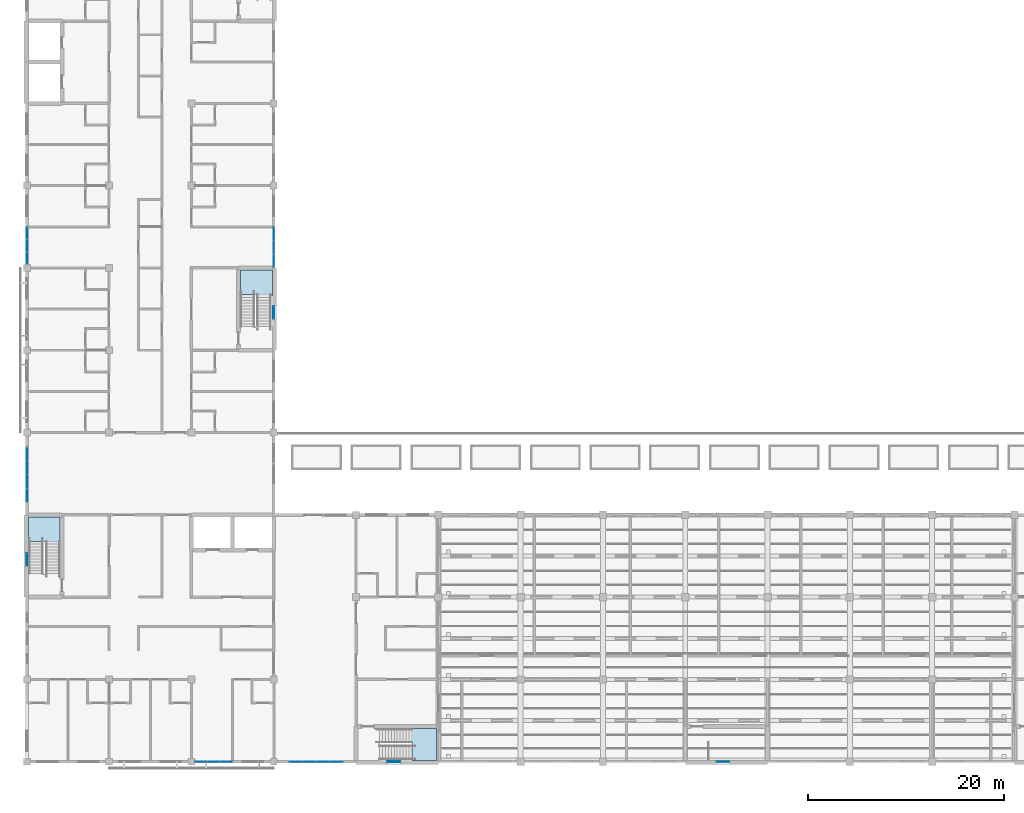
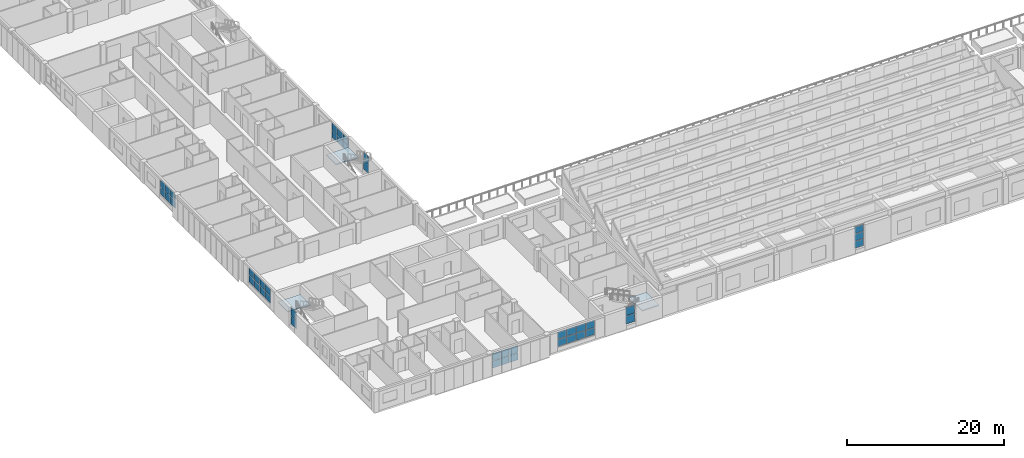
# One storey, part 22 of 61: 43 plates, 3 slabs, 12 elements without a shape of their own.
"""IFC4 building model written with IfcOpenShell, lengths in metres."""

from ifc_helpers import new_model, si_unit, direction, frame, origin, origin_2d, place, context, subcontext, project, spatial, polyline, rectangle, outline, extrude, material, layer, layer_set, type_object, element, aggregate, save


model = new_model("IFC4")

# Units and contexts
model_context = context("Model", 3, precision=1e-05, world=origin(), true_north=direction((0.0, 1.0)))
body_context = subcontext(model_context, "Body", "Model", "MODEL_VIEW")
ifc_project = project(units=[si_unit("LENGTHUNIT", "METRE"), si_unit("AREAUNIT", "SQUARE_METRE"), si_unit("VOLUMEUNIT", "CUBIC_METRE"), si_unit("PLANEANGLEUNIT", "RADIAN"), si_unit("MASSUNIT", "GRAM", prefix="KILO")], contexts=[model_context])

# Site, building, storey
site_placement = place(None, origin())
site = spatial("IfcSite", under=ifc_project, at=site_placement, CompositionType="ELEMENT")
building_placement = place(site_placement, origin())
building = spatial("IfcBuilding", under=site, at=building_placement, Name="Yavir Park General Hospital", CompositionType="ELEMENT")
storey_placement = place(building_placement, frame((0.0, 0.0, 15.300048828125)))
storey = spatial("IfcBuildingStorey", under=building, at=storey_placement, Name="L03", CompositionType="ELEMENT", Elevation=15.300048828125)

# Curtain wall, plates
ifc_material_1 = material(Name="Aluminium curtain wall frame with insulated glazing", Category="aluminium")
curtain_wall_type_1 = type_object("IfcCurtainWallType", Name="Day room pocket glazing, ward floors, 2360 high, 1400 module", PredefinedType="NOTDEFINED", material=ifc_material_1)
curtain_wall_1_placement = place(storey_placement, origin())
curtain_wall_1 = element("IfcCurtainWall", 1, at=curtain_wall_1_placement, inside=storey, type_object=curtain_wall_type_1, Name="CW6 L03-001", PredefinedType="NOTDEFINED")
ifc_material_2 = material(Name="Insulated glazed unit 30 mm, low-e coating")
ifc_layer_1 = layer(ifc_material_2, 0.030029296875)
ifc_layer_set_1 = layer_set([ifc_layer_1], Name="Insulated glazed unit 30 mm, low-e coating")
plate_type_1 = type_object("IfcPlateType", Name="Day room pocket glazing, ward floors, 2360 high panel 30", PredefinedType="CURTAIN_PANEL", material=ifc_layer_set_1)
plate_1_placement = place(storey_placement, frame((17.806640625, 0.0, 0.65966796875), z_axis=(0.0, 0.0, 1.0), x_axis=(1.0, 0.0, 0.0)))
plate_1 = element("IfcPlate", 2, at=plate_1_placement, type_object=plate_type_1, Name="CW6 panel 1.1", PredefinedType="CURTAIN_PANEL", context=body_context, shape_type="SweptSolid", body=[
    extrude(rectangle(XDim=1.193359375, YDim=0.030029296875, at=origin_2d()), origin(), (0.0, 0.0, 1.0), 1.090087890625),
])
plate_2_placement = place(storey_placement, frame((17.806640625, 0.0, 1.81005859375), z_axis=(0.0, 0.0, 1.0), x_axis=(1.0, 0.0, 0.0)))
plate_2 = element("IfcPlate", 3, at=plate_2_placement, type_object=plate_type_1, Name="CW6 panel 1.2", PredefinedType="CURTAIN_PANEL", context=body_context, shape_type="SweptSolid", body=[
    extrude(rectangle(XDim=1.193359375, YDim=0.030029296875, at=origin_2d()), origin(), (0.0, 0.0, 1.0), 1.090087890625),
])
plate_3_placement = place(storey_placement, frame((19.074951171875, 0.0, 0.65966796875), z_axis=(0.0, 0.0, 1.0), x_axis=(1.0, 0.0, 0.0)))
plate_3 = element("IfcPlate", 4, at=plate_3_placement, type_object=plate_type_1, Name="CW6 panel 2.1", PredefinedType="CURTAIN_PANEL", context=body_context, shape_type="SweptSolid", body=[
    extrude(rectangle(XDim=1.223388671875, YDim=0.030029296875, at=origin_2d()), origin(), (0.0, 0.0, 1.0), 1.090087890625),
])
plate_4_placement = place(storey_placement, frame((19.074951171875, 0.0, 1.81005859375), z_axis=(0.0, 0.0, 1.0), x_axis=(1.0, 0.0, 0.0)))
plate_4 = element("IfcPlate", 5, at=plate_4_placement, type_object=plate_type_1, Name="CW6 panel 2.2", PredefinedType="CURTAIN_PANEL", context=body_context, shape_type="SweptSolid", body=[
    extrude(rectangle(XDim=1.223388671875, YDim=0.030029296875, at=origin_2d()), origin(), (0.0, 0.0, 1.0), 1.090087890625),
])
plate_5_placement = place(storey_placement, frame((20.34326171875, 0.0, 0.65966796875), z_axis=(0.0, 0.0, 1.0), x_axis=(1.0, 0.0, 0.0)))
plate_5 = element("IfcPlate", 6, at=plate_5_placement, type_object=plate_type_1, Name="CW6 panel 3.1", PredefinedType="CURTAIN_PANEL", context=body_context, shape_type="SweptSolid", body=[
    extrude(rectangle(XDim=1.193359375, YDim=0.030029296875, at=origin_2d()), origin(), (0.0, 0.0, 1.0), 1.090087890625),
])
plate_6_placement = place(storey_placement, frame((20.34326171875, 0.0, 1.81005859375), z_axis=(0.0, 0.0, 1.0), x_axis=(1.0, 0.0, 0.0)))
plate_6 = element("IfcPlate", 7, at=plate_6_placement, type_object=plate_type_1, Name="CW6 panel 3.2", PredefinedType="CURTAIN_PANEL", context=body_context, shape_type="SweptSolid", body=[
    extrude(rectangle(XDim=1.193359375, YDim=0.030029296875, at=origin_2d()), origin(), (0.0, 0.0, 1.0), 1.090087890625),
])
aggregate(curtain_wall_1, [plate_1, plate_2, plate_3, plate_4, plate_5, plate_6])

curtain_wall_2_placement = place(storey_placement, origin())
curtain_wall_2 = element("IfcCurtainWall", 8, at=curtain_wall_2_placement, inside=storey, type_object=curtain_wall_type_1, Name="CW6 L03-002", PredefinedType="NOTDEFINED")
plate_7_placement = place(storey_placement, frame((27.4150390625, 0.0, 0.65966796875), z_axis=(0.0, 0.0, 1.0), x_axis=(1.0, 0.0, 0.0)))
plate_7 = element("IfcPlate", 9, at=plate_7_placement, type_object=plate_type_1, Name="CW6 panel 1.1", PredefinedType="CURTAIN_PANEL", context=body_context, shape_type="SweptSolid", body=[
    extrude(rectangle(XDim=1.31005859375, YDim=0.030029296875, at=origin_2d()), origin(), (0.0, 0.0, 1.0), 1.090087890625),
])
plate_8_placement = place(storey_placement, frame((27.4150390625, 0.0, 1.81005859375), z_axis=(0.0, 0.0, 1.0), x_axis=(1.0, 0.0, 0.0)))
plate_8 = element("IfcPlate", 10, at=plate_8_placement, type_object=plate_type_1, Name="CW6 panel 1.2", PredefinedType="CURTAIN_PANEL", context=body_context, shape_type="SweptSolid", body=[
    extrude(rectangle(XDim=1.31005859375, YDim=0.030029296875, at=origin_2d()), origin(), (0.0, 0.0, 1.0), 1.090087890625),
])
plate_9_placement = place(storey_placement, frame((28.800048828125, 0.0, 0.65966796875), z_axis=(0.0, 0.0, 1.0), x_axis=(1.0, 0.0, 0.0)))
plate_9 = element("IfcPlate", 11, at=plate_9_placement, type_object=plate_type_1, Name="CW6 panel 2.1", PredefinedType="CURTAIN_PANEL", context=body_context, shape_type="SweptSolid", body=[
    extrude(rectangle(XDim=1.340087890625, YDim=0.030029296875, at=origin_2d()), origin(), (0.0, 0.0, 1.0), 1.090087890625),
])
plate_10_placement = place(storey_placement, frame((28.800048828125, 0.0, 1.81005859375), z_axis=(0.0, 0.0, 1.0), x_axis=(1.0, 0.0, 0.0)))
plate_10 = element("IfcPlate", 12, at=plate_10_placement, type_object=plate_type_1, Name="CW6 panel 2.2", PredefinedType="CURTAIN_PANEL", context=body_context, shape_type="SweptSolid", body=[
    extrude(rectangle(XDim=1.340087890625, YDim=0.030029296875, at=origin_2d()), origin(), (0.0, 0.0, 1.0), 1.090087890625),
])
plate_11_placement = place(storey_placement, frame((30.199951171875, 0.0, 0.65966796875), z_axis=(0.0, 0.0, 1.0), x_axis=(1.0, 0.0, 0.0)))
plate_11 = element("IfcPlate", 13, at=plate_11_placement, type_object=plate_type_1, Name="CW6 panel 3.1", PredefinedType="CURTAIN_PANEL", context=body_context, shape_type="SweptSolid", body=[
    extrude(rectangle(XDim=1.340087890625, YDim=0.030029296875, at=origin_2d()), origin(), (0.0, 0.0, 1.0), 1.090087890625),
])
plate_12_placement = place(storey_placement, frame((30.199951171875, 0.0, 1.81005859375), z_axis=(0.0, 0.0, 1.0), x_axis=(1.0, 0.0, 0.0)))
plate_12 = element("IfcPlate", 14, at=plate_12_placement, type_object=plate_type_1, Name="CW6 panel 3.2", PredefinedType="CURTAIN_PANEL", context=body_context, shape_type="SweptSolid", body=[
    extrude(rectangle(XDim=1.340087890625, YDim=0.030029296875, at=origin_2d()), origin(), (0.0, 0.0, 1.0), 1.090087890625),
])
plate_13_placement = place(storey_placement, frame((31.5849609375, 0.0, 0.65966796875), z_axis=(0.0, 0.0, 1.0), x_axis=(1.0, 0.0, 0.0)))
plate_13 = element("IfcPlate", 15, at=plate_13_placement, type_object=plate_type_1, Name="CW6 panel 4.1", PredefinedType="CURTAIN_PANEL", context=body_context, shape_type="SweptSolid", body=[
    extrude(rectangle(XDim=1.31005859375, YDim=0.030029296875, at=origin_2d()), origin(), (0.0, 0.0, 1.0), 1.090087890625),
])
plate_14_placement = place(storey_placement, frame((31.5849609375, 0.0, 1.81005859375), z_axis=(0.0, 0.0, 1.0), x_axis=(1.0, 0.0, 0.0)))
plate_14 = element("IfcPlate", 16, at=plate_14_placement, type_object=plate_type_1, Name="CW6 panel 4.2", PredefinedType="CURTAIN_PANEL", context=body_context, shape_type="SweptSolid", body=[
    extrude(rectangle(XDim=1.31005859375, YDim=0.030029296875, at=origin_2d()), origin(), (0.0, 0.0, 1.0), 1.090087890625),
])
aggregate(curtain_wall_2, [plate_7, plate_8, plate_9, plate_10, plate_11, plate_12, plate_13, plate_14])

curtain_wall_3_placement = place(storey_placement, origin())
curtain_wall_3 = element("IfcCurtainWall", 17, at=curtain_wall_3_placement, inside=storey, type_object=curtain_wall_type_1, Name="CW6 L03-017", PredefinedType="NOTDEFINED")
plate_15_placement = place(storey_placement, frame((0.0, 27.215087890625, 0.65966796875), z_axis=(0.0, 0.0, 1.0), x_axis=(0.0, 1.0, 0.0)))
plate_15 = element("IfcPlate", 18, at=plate_15_placement, type_object=plate_type_1, Name="CW6 panel 1.1", PredefinedType="CURTAIN_PANEL", context=body_context, shape_type="SweptSolid", body=[
    extrude(rectangle(XDim=1.31005859375, YDim=0.030029296875, at=origin_2d()), origin(), (0.0, 0.0, 1.0), 1.090087890625),
])
plate_16_placement = place(storey_placement, frame((0.0, 27.215087890625, 1.81005859375), z_axis=(0.0, 0.0, 1.0), x_axis=(0.0, 1.0, 0.0)))
plate_16 = element("IfcPlate", 19, at=plate_16_placement, type_object=plate_type_1, Name="CW6 panel 1.2", PredefinedType="CURTAIN_PANEL", context=body_context, shape_type="SweptSolid", body=[
    extrude(rectangle(XDim=1.31005859375, YDim=0.030029296875, at=origin_2d()), origin(), (0.0, 0.0, 1.0), 1.090087890625),
])
plate_17_placement = place(storey_placement, frame((0.0, 28.60009765625, 0.65966796875), z_axis=(0.0, 0.0, 1.0), x_axis=(0.0, 1.0, 0.0)))
plate_17 = element("IfcPlate", 20, at=plate_17_placement, type_object=plate_type_1, Name="CW6 panel 2.1", PredefinedType="CURTAIN_PANEL", context=body_context, shape_type="SweptSolid", body=[
    extrude(rectangle(XDim=1.340087890625, YDim=0.030029296875, at=origin_2d()), origin(), (0.0, 0.0, 1.0), 1.090087890625),
])
plate_18_placement = place(storey_placement, frame((0.0, 28.60009765625, 1.81005859375), z_axis=(0.0, 0.0, 1.0), x_axis=(0.0, 1.0, 0.0)))
plate_18 = element("IfcPlate", 21, at=plate_18_placement, type_object=plate_type_1, Name="CW6 panel 2.2", PredefinedType="CURTAIN_PANEL", context=body_context, shape_type="SweptSolid", body=[
    extrude(rectangle(XDim=1.340087890625, YDim=0.030029296875, at=origin_2d()), origin(), (0.0, 0.0, 1.0), 1.090087890625),
])
plate_19_placement = place(storey_placement, frame((0.0, 30.0, 0.65966796875), z_axis=(0.0, 0.0, 1.0), x_axis=(0.0, 1.0, 0.0)))
plate_19 = element("IfcPlate", 22, at=plate_19_placement, type_object=plate_type_1, Name="CW6 panel 3.1", PredefinedType="CURTAIN_PANEL", context=body_context, shape_type="SweptSolid", body=[
    extrude(rectangle(XDim=1.340087890625, YDim=0.030029296875, at=origin_2d()), origin(), (0.0, 0.0, 1.0), 1.090087890625),
])
plate_20_placement = place(storey_placement, frame((0.0, 30.0, 1.81005859375), z_axis=(0.0, 0.0, 1.0), x_axis=(0.0, 1.0, 0.0)))
plate_20 = element("IfcPlate", 23, at=plate_20_placement, type_object=plate_type_1, Name="CW6 panel 3.2", PredefinedType="CURTAIN_PANEL", context=body_context, shape_type="SweptSolid", body=[
    extrude(rectangle(XDim=1.340087890625, YDim=0.030029296875, at=origin_2d()), origin(), (0.0, 0.0, 1.0), 1.090087890625),
])
plate_21_placement = place(storey_placement, frame((0.0, 31.385009765625, 0.65966796875), z_axis=(0.0, 0.0, 1.0), x_axis=(0.0, 1.0, 0.0)))
plate_21 = element("IfcPlate", 24, at=plate_21_placement, type_object=plate_type_1, Name="CW6 panel 4.1", PredefinedType="CURTAIN_PANEL", context=body_context, shape_type="SweptSolid", body=[
    extrude(rectangle(XDim=1.31005859375, YDim=0.030029296875, at=origin_2d()), origin(), (0.0, 0.0, 1.0), 1.090087890625),
])
plate_22_placement = place(storey_placement, frame((0.0, 31.385009765625, 1.81005859375), z_axis=(0.0, 0.0, 1.0), x_axis=(0.0, 1.0, 0.0)))
plate_22 = element("IfcPlate", 25, at=plate_22_placement, type_object=plate_type_1, Name="CW6 panel 4.2", PredefinedType="CURTAIN_PANEL", context=body_context, shape_type="SweptSolid", body=[
    extrude(rectangle(XDim=1.31005859375, YDim=0.030029296875, at=origin_2d()), origin(), (0.0, 0.0, 1.0), 1.090087890625),
])
aggregate(curtain_wall_3, [plate_15, plate_16, plate_17, plate_18, plate_19, plate_20, plate_21, plate_22])

curtain_wall_4_placement = place(storey_placement, origin())
curtain_wall_4 = element("IfcCurtainWall", 26, at=curtain_wall_4_placement, inside=storey, type_object=curtain_wall_type_1, Name="CW6 L03-018", PredefinedType="NOTDEFINED")
plate_23_placement = place(storey_placement, frame((0.0, 51.40673828125, 0.65966796875), z_axis=(0.0, 0.0, 1.0), x_axis=(0.0, 1.0, 0.0)))
plate_23 = element("IfcPlate", 27, at=plate_23_placement, type_object=plate_type_1, Name="CW6 panel 1.1", PredefinedType="CURTAIN_PANEL", context=body_context, shape_type="SweptSolid", body=[
    extrude(rectangle(XDim=1.193359375, YDim=0.030029296875, at=origin_2d()), origin(), (0.0, 0.0, 1.0), 1.090087890625),
])
plate_24_placement = place(storey_placement, frame((0.0, 51.40673828125, 1.81005859375), z_axis=(0.0, 0.0, 1.0), x_axis=(0.0, 1.0, 0.0)))
plate_24 = element("IfcPlate", 28, at=plate_24_placement, type_object=plate_type_1, Name="CW6 panel 1.2", PredefinedType="CURTAIN_PANEL", context=body_context, shape_type="SweptSolid", body=[
    extrude(rectangle(XDim=1.193359375, YDim=0.030029296875, at=origin_2d()), origin(), (0.0, 0.0, 1.0), 1.090087890625),
])
plate_25_placement = place(storey_placement, frame((0.0, 52.675048828125, 0.65966796875), z_axis=(0.0, 0.0, 1.0), x_axis=(0.0, 1.0, 0.0)))
plate_25 = element("IfcPlate", 29, at=plate_25_placement, type_object=plate_type_1, Name="CW6 panel 2.1", PredefinedType="CURTAIN_PANEL", context=body_context, shape_type="SweptSolid", body=[
    extrude(rectangle(XDim=1.223388671875, YDim=0.030029296875, at=origin_2d()), origin(), (0.0, 0.0, 1.0), 1.090087890625),
])
plate_26_placement = place(storey_placement, frame((0.0, 52.675048828125, 1.81005859375), z_axis=(0.0, 0.0, 1.0), x_axis=(0.0, 1.0, 0.0)))
plate_26 = element("IfcPlate", 30, at=plate_26_placement, type_object=plate_type_1, Name="CW6 panel 2.2", PredefinedType="CURTAIN_PANEL", context=body_context, shape_type="SweptSolid", body=[
    extrude(rectangle(XDim=1.223388671875, YDim=0.030029296875, at=origin_2d()), origin(), (0.0, 0.0, 1.0), 1.090087890625),
])
plate_27_placement = place(storey_placement, frame((0.0, 53.943359375, 0.65966796875), z_axis=(0.0, 0.0, 1.0), x_axis=(0.0, 1.0, 0.0)))
plate_27 = element("IfcPlate", 31, at=plate_27_placement, type_object=plate_type_1, Name="CW6 panel 3.1", PredefinedType="CURTAIN_PANEL", context=body_context, shape_type="SweptSolid", body=[
    extrude(rectangle(XDim=1.193359375, YDim=0.030029296875, at=origin_2d()), origin(), (0.0, 0.0, 1.0), 1.090087890625),
])
plate_28_placement = place(storey_placement, frame((0.0, 53.943359375, 1.81005859375), z_axis=(0.0, 0.0, 1.0), x_axis=(0.0, 1.0, 0.0)))
plate_28 = element("IfcPlate", 32, at=plate_28_placement, type_object=plate_type_1, Name="CW6 panel 3.2", PredefinedType="CURTAIN_PANEL", context=body_context, shape_type="SweptSolid", body=[
    extrude(rectangle(XDim=1.193359375, YDim=0.030029296875, at=origin_2d()), origin(), (0.0, 0.0, 1.0), 1.090087890625),
])
aggregate(curtain_wall_4, [plate_23, plate_24, plate_25, plate_26, plate_27, plate_28])

curtain_wall_5_placement = place(storey_placement, origin())
curtain_wall_5 = element("IfcCurtainWall", 33, at=curtain_wall_5_placement, inside=storey, type_object=curtain_wall_type_1, Name="CW6 L03-023", PredefinedType="NOTDEFINED")
plate_29_placement = place(storey_placement, frame((25.199951171875, 51.114990234375, 0.65966796875), z_axis=(0.0, 0.0, 1.0), x_axis=(0.0, 1.0, 0.0)))
plate_29 = element("IfcPlate", 34, at=plate_29_placement, type_object=plate_type_1, Name="CW6 panel 1.1", PredefinedType="CURTAIN_PANEL", context=body_context, shape_type="SweptSolid", body=[
    extrude(rectangle(XDim=1.31005859375, YDim=0.030029296875, at=origin_2d()), origin(), (0.0, 0.0, 1.0), 1.090087890625),
])
plate_30_placement = place(storey_placement, frame((25.199951171875, 51.114990234375, 1.81005859375), z_axis=(0.0, 0.0, 1.0), x_axis=(0.0, 1.0, 0.0)))
plate_30 = element("IfcPlate", 35, at=plate_30_placement, type_object=plate_type_1, Name="CW6 panel 1.2", PredefinedType="CURTAIN_PANEL", context=body_context, shape_type="SweptSolid", body=[
    extrude(rectangle(XDim=1.31005859375, YDim=0.030029296875, at=origin_2d()), origin(), (0.0, 0.0, 1.0), 1.090087890625),
])
plate_31_placement = place(storey_placement, frame((25.199951171875, 52.5, 0.65966796875), z_axis=(0.0, 0.0, 1.0), x_axis=(0.0, 1.0, 0.0)))
plate_31 = element("IfcPlate", 36, at=plate_31_placement, type_object=plate_type_1, Name="CW6 panel 2.1", PredefinedType="CURTAIN_PANEL", context=body_context, shape_type="SweptSolid", body=[
    extrude(rectangle(XDim=1.340087890625, YDim=0.030029296875, at=origin_2d()), origin(), (0.0, 0.0, 1.0), 1.090087890625),
])
plate_32_placement = place(storey_placement, frame((25.199951171875, 52.5, 1.81005859375), z_axis=(0.0, 0.0, 1.0), x_axis=(0.0, 1.0, 0.0)))
plate_32 = element("IfcPlate", 37, at=plate_32_placement, type_object=plate_type_1, Name="CW6 panel 2.2", PredefinedType="CURTAIN_PANEL", context=body_context, shape_type="SweptSolid", body=[
    extrude(rectangle(XDim=1.340087890625, YDim=0.030029296875, at=origin_2d()), origin(), (0.0, 0.0, 1.0), 1.090087890625),
])
plate_33_placement = place(storey_placement, frame((25.199951171875, 53.885009765625, 0.65966796875), z_axis=(0.0, 0.0, 1.0), x_axis=(0.0, 1.0, 0.0)))
plate_33 = element("IfcPlate", 38, at=plate_33_placement, type_object=plate_type_1, Name="CW6 panel 3.1", PredefinedType="CURTAIN_PANEL", context=body_context, shape_type="SweptSolid", body=[
    extrude(rectangle(XDim=1.31005859375, YDim=0.030029296875, at=origin_2d()), origin(), (0.0, 0.0, 1.0), 1.090087890625),
])
plate_34_placement = place(storey_placement, frame((25.199951171875, 53.885009765625, 1.81005859375), z_axis=(0.0, 0.0, 1.0), x_axis=(0.0, 1.0, 0.0)))
plate_34 = element("IfcPlate", 39, at=plate_34_placement, type_object=plate_type_1, Name="CW6 panel 3.2", PredefinedType="CURTAIN_PANEL", context=body_context, shape_type="SweptSolid", body=[
    extrude(rectangle(XDim=1.31005859375, YDim=0.030029296875, at=origin_2d()), origin(), (0.0, 0.0, 1.0), 1.090087890625),
])
aggregate(curtain_wall_5, [plate_29, plate_30, plate_31, plate_32, plate_33, plate_34])

# Stair, slab
ifc_material_3 = material(Name="Concrete C30/37", Category="concrete")
stair_type = type_object("IfcStairType", Name="Patient escape stair, 24 risers of 150 mm, 1400 mm flights", PredefinedType="HALF_TURN_STAIR", material=ifc_material_3)
stair_1_placement = place(storey_placement, origin())
stair_1 = element("IfcStair", 40, at=stair_1_placement, inside=storey, type_object=stair_type, Name="Stair SU1, L03 to L04", PredefinedType="HALF_TURN_STAIR")
ifc_material_4 = material(Name="Concrete C30/37", Category="concrete")
ifc_layer_2 = layer(ifc_material_4, 0.159912109375)
ifc_layer_set_2 = layer_set([ifc_layer_2], Name="Concrete C30/37")
slab_type = type_object("IfcSlabType", Name="Patient escape stair half landing, reinforced concrete 160 mm", PredefinedType="LANDING", material=ifc_layer_set_2)
slab_1_placement = place(storey_placement, frame((0.0, 0.0, 1.639892578125)))
slab_1 = element("IfcSlab", 41, at=slab_1_placement, type_object=slab_type, Name="SU1 landing 1", PredefinedType="LANDING", context=body_context, shape_type="SweptSolid", body=[
    extrude(outline(polyline([(0.14990234375, 22.49853515625), (0.14990234375, 25.0), (3.39990234375, 25.0), (3.39990234375, 22.35009765625), (1.949951171875, 22.35009765625), (1.949951171875, 22.49853515625), (0.14990234375, 22.49853515625)])), origin(), (0.0, 0.0, 1.0), 0.16015625),
])
aggregate(stair_1, [slab_1])

stair_2_placement = place(storey_placement, origin())
stair_2 = element("IfcStair", 42, at=stair_2_placement, inside=storey, type_object=stair_type, Name="Stair SU2, L03 to L04", PredefinedType="HALF_TURN_STAIR")
slab_2_placement = place(storey_placement, frame((0.0, 0.0, 1.639892578125)))
slab_2 = element("IfcSlab", 43, at=slab_2_placement, type_object=slab_type, Name="SU2 landing 1", PredefinedType="LANDING", context=body_context, shape_type="SweptSolid", body=[
    extrude(outline(polyline([(39.298583984375, 0.14990234375), (41.800048828125, 0.14990234375), (41.800048828125, 3.39990234375), (39.14990234375, 3.39990234375), (39.14990234375, 1.949951171875), (39.298583984375, 1.949951171875), (39.298583984375, 0.14990234375)])), origin(), (0.0, 0.0, 1.0), 0.16015625),
])
aggregate(stair_2, [slab_2])

stair_3_placement = place(storey_placement, origin())
stair_3 = element("IfcStair", 44, at=stair_3_placement, inside=storey, type_object=stair_type, Name="Stair SW1, L03 to L04", PredefinedType="HALF_TURN_STAIR")
slab_3_placement = place(storey_placement, frame((0.0, 0.0, 1.639892578125)))
slab_3 = element("IfcSlab", 45, at=slab_3_placement, type_object=slab_type, Name="SW1 landing 1", PredefinedType="LANDING", context=body_context, shape_type="SweptSolid", body=[
    extrude(outline(polyline([(21.800048828125, 47.698486328125), (21.800048828125, 50.199951171875), (25.050048828125, 50.199951171875), (25.050048828125, 47.550048828125), (23.5, 47.550048828125), (23.5, 47.698486328125), (21.800048828125, 47.698486328125)])), origin(), (0.0, 0.0, 1.0), 0.16015625),
])
aggregate(stair_3, [slab_3])

# Curtain wall, plates
ifc_material_5 = material(Name="Aluminium curtain wall frame with insulated glazing", Category="aluminium")
curtain_wall_type_2 = type_object("IfcCurtainWallType", Name="Stair light slot, technical floors, 3400 high, 1400 module", PredefinedType="NOTDEFINED", material=ifc_material_5)
curtain_wall_6_placement = place(storey_placement, origin())
curtain_wall_6 = element("IfcCurtainWall", 46, at=curtain_wall_6_placement, inside=storey, type_object=curtain_wall_type_2, Name="CW11 L03-004", PredefinedType="NOTDEFINED")
ifc_material_6 = material(Name="Single glazed toughened unit 20 mm")
ifc_layer_3 = layer(ifc_material_6, 0.02001953125)
ifc_layer_set_3 = layer_set([ifc_layer_3], Name="Single glazed toughened unit 20 mm")
plate_type_2 = type_object("IfcPlateType", Name="Stair light slot, technical floors, 3400 high panel 20", PredefinedType="CURTAIN_PANEL", material=ifc_layer_set_3)
plate_35_placement = place(storey_placement, frame((71.050048828125, 0.0, 0.64990234375), z_axis=(0.0, 0.0, 1.0), x_axis=(1.0, 0.0, 0.0)))
plate_35 = element("IfcPlate", 47, at=plate_35_placement, type_object=plate_type_2, Name="CW11 panel 1.1", PredefinedType="CURTAIN_PANEL", context=body_context, shape_type="SweptSolid", body=[
    extrude(rectangle(XDim=1.300048828125, YDim=0.02001953125, at=origin_2d()), origin(), (0.0, 0.0, 1.0), 1.058349609375),
])
plate_36_placement = place(storey_placement, frame((71.050048828125, 0.0, 1.75830078125), z_axis=(0.0, 0.0, 1.0), x_axis=(1.0, 0.0, 0.0)))
plate_36 = element("IfcPlate", 48, at=plate_36_placement, type_object=plate_type_2, Name="CW11 panel 1.2", PredefinedType="CURTAIN_PANEL", context=body_context, shape_type="SweptSolid", body=[
    extrude(rectangle(XDim=1.300048828125, YDim=0.02001953125, at=origin_2d()), origin(), (0.0, 0.0, 1.0), 1.083251953125),
])
plate_37_placement = place(storey_placement, frame((71.050048828125, 0.0, 2.8916015625), z_axis=(0.0, 0.0, 1.0), x_axis=(1.0, 0.0, 0.0)))
plate_37 = element("IfcPlate", 49, at=plate_37_placement, type_object=plate_type_2, Name="CW11 panel 1.3", PredefinedType="CURTAIN_PANEL", context=body_context, shape_type="SweptSolid", body=[
    extrude(rectangle(XDim=1.300048828125, YDim=0.02001953125, at=origin_2d()), origin(), (0.0, 0.0, 1.0), 1.058349609375),
])
aggregate(curtain_wall_6, [plate_35, plate_36, plate_37])

ifc_material_7 = material(Name="Aluminium curtain wall frame with insulated glazing", Category="aluminium")
curtain_wall_type_3 = type_object("IfcCurtainWallType", Name="Stair light slot, ward floors, 2660 high, 1400 module", PredefinedType="NOTDEFINED", material=ifc_material_7)
curtain_wall_7_placement = place(storey_placement, origin())
curtain_wall_7 = element("IfcCurtainWall", 50, at=curtain_wall_7_placement, inside=storey, type_object=curtain_wall_type_3, Name="CW10 L03-003", PredefinedType="NOTDEFINED")
ifc_material_8 = material(Name="Fire-resisting glazed unit 70 mm")
ifc_layer_4 = layer(ifc_material_8, 0.070068359375)
ifc_layer_set_4 = layer_set([ifc_layer_4], Name="Fire-resisting glazed unit 70 mm")
plate_type_3 = type_object("IfcPlateType", Name="Stair light slot, ward floors, 2660 high panel 70", PredefinedType="CURTAIN_PANEL", material=ifc_layer_set_4)
plate_38_placement = place(storey_placement, frame((37.449951171875, 0.0, 0.64990234375), z_axis=(0.0, 0.0, 1.0), x_axis=(1.0, 0.0, 0.0)))
plate_38 = element("IfcPlate", 51, at=plate_38_placement, type_object=plate_type_3, Name="CW10 panel 1.1", PredefinedType="CURTAIN_PANEL", context=body_context, shape_type="SweptSolid", body=[
    extrude(rectangle(XDim=1.300048828125, YDim=0.070068359375, at=origin_2d()), origin(), (0.0, 0.0, 1.0), 1.2548828125),
])
plate_39_placement = place(storey_placement, frame((37.449951171875, 0.0, 1.955078125), z_axis=(0.0, 0.0, 1.0), x_axis=(1.0, 0.0, 0.0)))
plate_39 = element("IfcPlate", 52, at=plate_39_placement, type_object=plate_type_3, Name="CW10 panel 1.2", PredefinedType="CURTAIN_PANEL", context=body_context, shape_type="SweptSolid", body=[
    extrude(rectangle(XDim=1.300048828125, YDim=0.070068359375, at=origin_2d()), origin(), (0.0, 0.0, 1.0), 1.2548828125),
])
aggregate(curtain_wall_7, [plate_38, plate_39])

curtain_wall_8_placement = place(storey_placement, origin())
curtain_wall_8 = element("IfcCurtainWall", 53, at=curtain_wall_8_placement, inside=storey, type_object=curtain_wall_type_3, Name="CW10 L03-016", PredefinedType="NOTDEFINED")
plate_40_placement = place(storey_placement, frame((0.0, 20.64990234375, 0.64990234375), z_axis=(0.0, 0.0, 1.0), x_axis=(0.0, 1.0, 0.0)))
plate_40 = element("IfcPlate", 54, at=plate_40_placement, type_object=plate_type_3, Name="CW10 panel 1.1", PredefinedType="CURTAIN_PANEL", context=body_context, shape_type="SweptSolid", body=[
    extrude(rectangle(XDim=1.300048828125, YDim=0.070068359375, at=origin_2d()), origin(), (0.0, 0.0, 1.0), 1.2548828125),
])
plate_41_placement = place(storey_placement, frame((0.0, 20.64990234375, 1.955078125), z_axis=(0.0, 0.0, 1.0), x_axis=(0.0, 1.0, 0.0)))
plate_41 = element("IfcPlate", 55, at=plate_41_placement, type_object=plate_type_3, Name="CW10 panel 1.2", PredefinedType="CURTAIN_PANEL", context=body_context, shape_type="SweptSolid", body=[
    extrude(rectangle(XDim=1.300048828125, YDim=0.070068359375, at=origin_2d()), origin(), (0.0, 0.0, 1.0), 1.2548828125),
])
aggregate(curtain_wall_8, [plate_40, plate_41])

curtain_wall_9_placement = place(storey_placement, origin())
curtain_wall_9 = element("IfcCurtainWall", 56, at=curtain_wall_9_placement, inside=storey, type_object=curtain_wall_type_3, Name="CW10 L03-022", PredefinedType="NOTDEFINED")
plate_42_placement = place(storey_placement, frame((25.199951171875, 45.85009765625, 0.64990234375), z_axis=(0.0, 0.0, 1.0), x_axis=(0.0, 1.0, 0.0)))
plate_42 = element("IfcPlate", 57, at=plate_42_placement, type_object=plate_type_3, Name="CW10 panel 1.1", PredefinedType="CURTAIN_PANEL", context=body_context, shape_type="SweptSolid", body=[
    extrude(rectangle(XDim=1.300048828125, YDim=0.070068359375, at=origin_2d()), origin(), (0.0, 0.0, 1.0), 1.2548828125),
])
plate_43_placement = place(storey_placement, frame((25.199951171875, 45.85009765625, 1.955078125), z_axis=(0.0, 0.0, 1.0), x_axis=(0.0, 1.0, 0.0)))
plate_43 = element("IfcPlate", 58, at=plate_43_placement, type_object=plate_type_3, Name="CW10 panel 1.2", PredefinedType="CURTAIN_PANEL", context=body_context, shape_type="SweptSolid", body=[
    extrude(rectangle(XDim=1.300048828125, YDim=0.070068359375, at=origin_2d()), origin(), (0.0, 0.0, 1.0), 1.2548828125),
])
aggregate(curtain_wall_9, [plate_42, plate_43])

save(model, "model.ifc")
